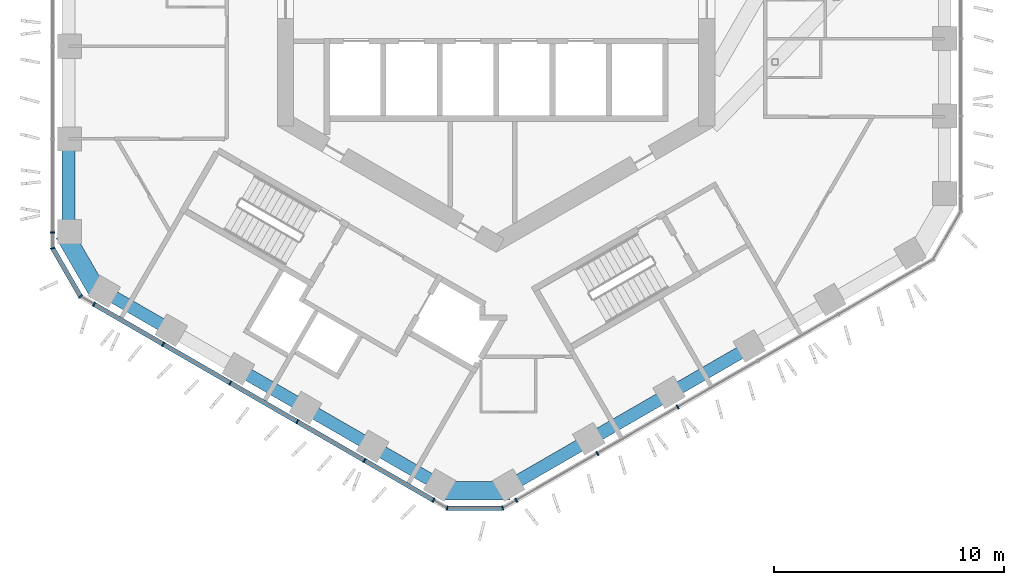
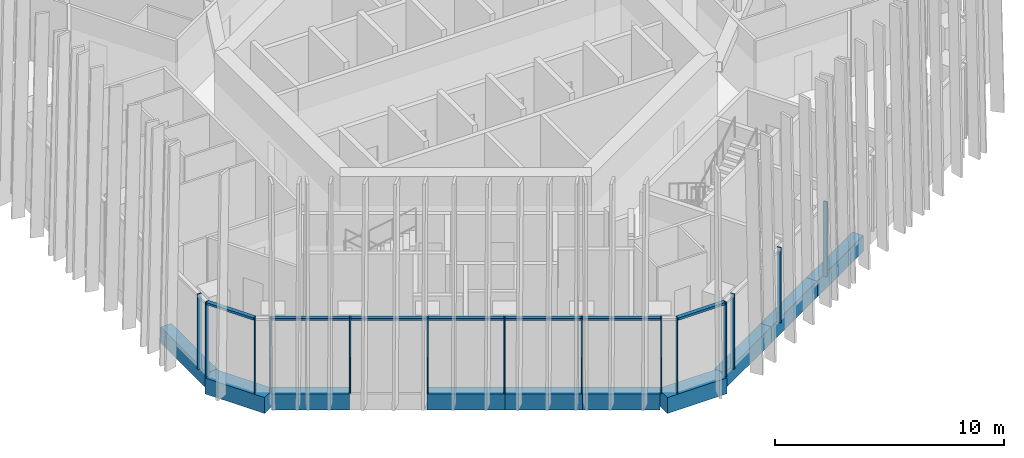
# One storey, part 2 of 31: 17 members, 10 beams, 5 elements without a shape of their own.
"""IFC4 building model written with IfcOpenShell, lengths in metres."""

from ifc_helpers import new_model, si_unit, direction, frame, origin, origin_2d, place, context, subcontext, project, spatial, rectangle, extrude, material, layer, layer_set, material_profile, profile_set, type_object, element, aggregate, save


model = new_model("IFC4")

# Units and contexts
model_context = context("Model", 3, precision=1e-05, world=origin(), true_north=direction((0.0, 1.0)))
body_context = subcontext(model_context, "Body", "Model", "MODEL_VIEW")
ifc_project = project(units=[si_unit("LENGTHUNIT", "METRE"), si_unit("AREAUNIT", "SQUARE_METRE"), si_unit("VOLUMEUNIT", "CUBIC_METRE"), si_unit("PLANEANGLEUNIT", "RADIAN"), si_unit("MASSUNIT", "GRAM", prefix="KILO")], contexts=[model_context])

# Site, building, storey
site_placement = place(None, origin())
site = spatial("IfcSite", under=ifc_project, at=site_placement, CompositionType="ELEMENT")
building_placement = place(site_placement, origin())
building = spatial("IfcBuilding", under=site, at=building_placement, Name="Ayvan Gate Tower", CompositionType="ELEMENT")
storey_placement = place(building_placement, frame((0.0, 0.0, 135.89990234375)))
storey = spatial("IfcBuildingStorey", under=building, at=storey_placement, Name="L36", CompositionType="ELEMENT", Elevation=135.89990234375)

# Beams
ifc_material_1 = material(Name="Concrete C40/50", Category="concrete")
ifc_material_profile_1 = material_profile(ifc_material_1, rectangle(XDim=0.800048828125, YDim=0.85009765625, at=origin_2d()), Name="RC 800x850")
ifc_profile_set_1 = profile_set([ifc_material_profile_1], Name="Concrete C40/50")
beam_type_1 = type_object("IfcBeamType", Name="Corner spandrel beam RC 800x850 C40/50", PredefinedType="BEAM", material=ifc_profile_set_1)
beam_1_placement = place(storey_placement, frame((-18.768798828125, -10.15185546875, -0.824951171875), z_axis=(0.50002537861, -0.866010750942, 0.0), x_axis=(0.866010750942, 0.50002537861, 0.0)))
element("IfcBeam", 1, at=beam_1_placement, inside=storey, type_object=beam_type_1, Name="SB-L36-24", PredefinedType="BEAM", context=body_context, shape_type="SweptSolid", body=[
    extrude(rectangle(XDim=0.800048828125, YDim=0.85009765625, at=origin_2d()), origin(), (0.0, 0.0, 1.0), 2.999755859375),
])
beam_2_placement = place(storey_placement, frame((-2.4072265625, -21.330078125, -0.824951171875), z_axis=(1.0, 0.0, 0.0), x_axis=(0.0, 1.0, 0.0)))
element("IfcBeam", 2, at=beam_2_placement, inside=storey, type_object=beam_type_1, Name="SB-L36-30", PredefinedType="BEAM", context=body_context, shape_type="SweptSolid", body=[
    extrude(rectangle(XDim=0.800048828125, YDim=0.85009765625, at=origin_2d()), origin(), (0.0, 0.0, 1.0), 3.0),
])
ifc_material_profile_2 = material_profile(ifc_material_1, rectangle(XDim=0.550048828125, YDim=0.85009765625, at=origin_2d()), Name="RC 550x850")
ifc_profile_set_2 = profile_set([ifc_material_profile_2], Name="Concrete C40/50")
beam_type_2 = type_object("IfcBeamType", Name="Spandrel beam RC 550x850 C40/50", PredefinedType="BEAM", material=ifc_profile_set_2)
beam_3_placement = place(storey_placement, frame((-18.578369140625, -6.025146484375, -0.824951171875), z_axis=(0.0, -1.0, 0.0), x_axis=(1.0, 0.0, 0.0)))
element("IfcBeam", 3, at=beam_3_placement, inside=storey, type_object=beam_type_2, Name="SB-L36-23", PredefinedType="BEAM", context=body_context, shape_type="SweptSolid", body=[
    extrude(rectangle(XDim=0.550048828125, YDim=0.85009765625, at=origin_2d()), origin(), (0.0, 0.0, 1.0), 4.0166015625),
])
for number, where, z_axis, x_axis, name in (
    (4, (-17.078369140625, -12.639892578125, -0.824951171875), (0.866030797895, -0.499990657009, 0.0), (0.499990657009, 0.866030797895, 0.0), "SB-L36-25"),
    (5, (-11.2099609375, -16.028076171875, -0.824951171875), (0.866061997738, -0.499936612056, 0.0), (0.499936612056, 0.866061997738, 0.0), "SB-L36-27"),
):
    element("IfcBeam", number, at=place(storey_placement, frame(where, z_axis=z_axis, x_axis=x_axis)), inside=storey, type_object=beam_type_2, Name=name, PredefinedType="BEAM", context=body_context, shape_type="SweptSolid", body=[
        extrude(rectangle(XDim=0.550048828125, YDim=0.85009765625, at=origin_2d()), origin(), (0.0, 0.0, 1.0), 3.38818359375),
    ])
beam_4_placement = place(storey_placement, frame((-8.275634765625, -17.721923828125, -0.824951171875), z_axis=(0.866012783096, -0.500021859037, 0.0), x_axis=(0.500021859037, 0.866012783096, 0.0)))
element("IfcBeam", 6, at=beam_4_placement, inside=storey, type_object=beam_type_2, Name="SB-L36-28", PredefinedType="BEAM", context=body_context, shape_type="SweptSolid", body=[
    extrude(rectangle(XDim=0.550048828125, YDim=0.85009765625, at=origin_2d()), origin(), (0.0, 0.0, 1.0), 3.387939453125),
])
beam_5_placement = place(storey_placement, frame((-5.341552734375, -19.416015625, -0.824951171875), z_axis=(0.866030797895, -0.499990657009, 0.0), x_axis=(0.499990657009, 0.866030797895, 0.0)))
element("IfcBeam", 7, at=beam_5_placement, inside=storey, type_object=beam_type_2, Name="SB-L36-29", PredefinedType="BEAM", context=body_context, shape_type="SweptSolid", body=[
    extrude(rectangle(XDim=0.550048828125, YDim=0.85009765625, at=origin_2d()), origin(), (0.0, 0.0, 1.0), 3.38818359375),
])
for number, where, z_axis, x_axis, name in (
    (8, (0.5927734375, -21.110107421875, -0.824951171875), (0.866027683981, 0.499996050563, 0.0), (-0.499996050563, 0.866027683981, 0.0), "SB-L36-31"),
    (9, (4.0712890625, -19.101806640625, -0.824951171875), (0.866027683981, 0.499996050563, 0.0), (-0.499996050563, 0.866027683981, 0.0), "SB-L36-32"),
):
    element("IfcBeam", number, at=place(storey_placement, frame(where, z_axis=z_axis, x_axis=x_axis)), inside=storey, type_object=beam_type_2, Name=name, PredefinedType="BEAM", context=body_context, shape_type="SweptSolid", body=[
        extrude(rectangle(XDim=0.550048828125, YDim=0.85009765625, at=origin_2d()), origin(), (0.0, 0.0, 1.0), 4.0166015625),
    ])
beam_6_placement = place(storey_placement, frame((7.5498046875, -17.093505859375, -0.824951171875), z_axis=(0.866042878142, 0.499969732304, 0.0), x_axis=(-0.499969732304, 0.866042878142, 0.0)))
element("IfcBeam", 10, at=beam_6_placement, inside=storey, type_object=beam_type_2, Name="SB-L36-33", PredefinedType="BEAM", context=body_context, shape_type="SweptSolid", body=[
    extrude(rectangle(XDim=0.550048828125, YDim=0.85009765625, at=origin_2d()), origin(), (0.0, 0.0, 1.0), 4.016845703125),
])

# Curtain wall, member
ifc_material_2 = material(Name="Bronze anodised aluminium", Category="aluminium")
ifc_layer_1 = layer(ifc_material_2, 0.199951171875)
ifc_layer_set_1 = layer_set([ifc_layer_1], Name="Bronze anodised aluminium")
curtain_wall_type_1 = type_object("IfcCurtainWallType", Name="Stick curtain wall CW-1", PredefinedType="NOTDEFINED", material=ifc_layer_set_1)
curtain_wall_1_placement = place(storey_placement, origin())
curtain_wall_1 = element("IfcCurtainWall", 11, at=curtain_wall_1_placement, inside=storey, type_object=curtain_wall_type_1, Name="Stick curtain wall CW-1 L36", PredefinedType="NOTDEFINED")
ifc_material_profile_3 = material_profile(ifc_material_2, rectangle(XDim=0.199951171875, YDim=0.06005859375, at=origin_2d()), Name="Stick curtain wall CW-1 mullion 200 x 60")
ifc_profile_set_3 = profile_set([ifc_material_profile_3], Name="Bronze anodised aluminium")
member_type_1 = type_object("IfcMemberType", Name="Stick curtain wall CW-1 mullion 200 x 60", PredefinedType="MULLION", material=ifc_profile_set_3)
member_1_placement = place(storey_placement, frame((-19.263916015625, -10.1123046875, 0.0), z_axis=(0.0, 0.0, 1.0), x_axis=(-1.0, 0.0, 0.0)))
member_1 = element("IfcMember", 12, at=member_1_placement, type_object=member_type_1, Name="CW-1 mullion 6", PredefinedType="MULLION", context=body_context, shape_type="SweptSolid", body=[
    extrude(rectangle(XDim=0.199951171875, YDim=0.06005859375, at=origin_2d()), origin(), (0.0, 0.0, 1.0), 4.0),
])
aggregate(curtain_wall_1, [member_1])

# Curtain wall, members
curtain_wall_2_placement = place(storey_placement, origin())
curtain_wall_2 = element("IfcCurtainWall", 13, at=curtain_wall_2_placement, inside=storey, type_object=curtain_wall_type_1, Name="Stick curtain wall CW-1 L36", PredefinedType="NOTDEFINED")
member_2_placement = place(storey_placement, frame((-17.4677734375, -13.223388671875, 0.0), z_axis=(0.0, 0.0, 1.0), x_axis=(-0.5, -0.866025403784, 0.0)))
member_2 = element("IfcMember", 14, at=member_2_placement, type_object=member_type_1, Name="CW-1 mullion 1", PredefinedType="MULLION", context=body_context, shape_type="SweptSolid", body=[
    extrude(rectangle(XDim=0.199951171875, YDim=0.06005859375, at=origin_2d()), origin(), (0.0, 0.0, 1.0), 4.0),
])
member_3_placement = place(storey_placement, frame((-14.46435546875, -14.957275390625, 0.0), z_axis=(0.0, 0.0, 1.0), x_axis=(-0.5, -0.866025403784, 0.0)))
member_3 = element("IfcMember", 15, at=member_3_placement, type_object=member_type_1, Name="CW-1 mullion 2", PredefinedType="MULLION", context=body_context, shape_type="SweptSolid", body=[
    extrude(rectangle(XDim=0.199951171875, YDim=0.06005859375, at=origin_2d()), origin(), (0.0, 0.0, 1.0), 4.0),
])
member_4_placement = place(storey_placement, frame((-11.55029296875, -16.6396484375, 0.0), z_axis=(0.0, 0.0, 1.0), x_axis=(-0.5, -0.866025403784, 0.0)))
member_4 = element("IfcMember", 16, at=member_4_placement, type_object=member_type_1, Name="CW-1 mullion 3", PredefinedType="MULLION", context=body_context, shape_type="SweptSolid", body=[
    extrude(rectangle(XDim=0.199951171875, YDim=0.06005859375, at=origin_2d()), origin(), (0.0, 0.0, 1.0), 4.0),
])
member_5_placement = place(storey_placement, frame((-8.63525390625, -18.32275390625, 0.0), z_axis=(0.0, 0.0, 1.0), x_axis=(-0.5, -0.866025403784, 0.0)))
member_5 = element("IfcMember", 17, at=member_5_placement, type_object=member_type_1, Name="CW-1 mullion 4", PredefinedType="MULLION", context=body_context, shape_type="SweptSolid", body=[
    extrude(rectangle(XDim=0.199951171875, YDim=0.06005859375, at=origin_2d()), origin(), (0.0, 0.0, 1.0), 4.0),
])
member_6_placement = place(storey_placement, frame((-5.720947265625, -20.00537109375, 0.0), z_axis=(0.0, 0.0, 1.0), x_axis=(-0.5, -0.866025403784, 0.0)))
member_6 = element("IfcMember", 18, at=member_6_placement, type_object=member_type_1, Name="CW-1 mullion 5", PredefinedType="MULLION", context=body_context, shape_type="SweptSolid", body=[
    extrude(rectangle(XDim=0.199951171875, YDim=0.06005859375, at=origin_2d()), origin(), (0.0, 0.0, 1.0), 4.0),
])
member_7_placement = place(storey_placement, frame((-2.7177734375, -21.7392578125, 0.0), z_axis=(0.0, 0.0, 1.0), x_axis=(-0.5, -0.866025403784, 0.0)))
member_7 = element("IfcMember", 19, at=member_7_placement, type_object=member_type_1, Name="CW-1 mullion 6", PredefinedType="MULLION", context=body_context, shape_type="SweptSolid", body=[
    extrude(rectangle(XDim=0.199951171875, YDim=0.06005859375, at=origin_2d()), origin(), (0.0, 0.0, 1.0), 4.0),
])

curtain_wall_3_placement = place(storey_placement, origin())
curtain_wall_3 = element("IfcCurtainWall", 20, at=curtain_wall_3_placement, inside=storey, type_object=curtain_wall_type_1, Name="Stick curtain wall CW-1 L36", PredefinedType="NOTDEFINED")
member_8_placement = place(storey_placement, frame((0.87451171875, -21.7392578125, 0.0), z_axis=(0.0, 0.0, 1.0), x_axis=(0.5, -0.866025403784, 0.0)))
member_8 = element("IfcMember", 21, at=member_8_placement, type_object=member_type_1, Name="CW-1 mullion 1", PredefinedType="MULLION", context=body_context, shape_type="SweptSolid", body=[
    extrude(rectangle(XDim=0.199951171875, YDim=0.06005859375, at=origin_2d()), origin(), (0.0, 0.0, 1.0), 4.0),
])
member_9_placement = place(storey_placement, frame((4.399169921875, -19.7041015625, 0.0), z_axis=(0.0, 0.0, 1.0), x_axis=(0.5, -0.866025403784, 0.0)))
member_9 = element("IfcMember", 22, at=member_9_placement, type_object=member_type_1, Name="CW-1 mullion 2", PredefinedType="MULLION", context=body_context, shape_type="SweptSolid", body=[
    extrude(rectangle(XDim=0.199951171875, YDim=0.06005859375, at=origin_2d()), origin(), (0.0, 0.0, 1.0), 4.0),
])
member_10_placement = place(storey_placement, frame((7.8876953125, -17.690185546875, 0.0), z_axis=(0.0, 0.0, 1.0), x_axis=(0.5, -0.866025403784, 0.0)))
member_10 = element("IfcMember", 23, at=member_10_placement, type_object=member_type_1, Name="CW-1 mullion 3", PredefinedType="MULLION", context=body_context, shape_type="SweptSolid", body=[
    extrude(rectangle(XDim=0.199951171875, YDim=0.06005859375, at=origin_2d()), origin(), (0.0, 0.0, 1.0), 4.0),
])
aggregate(curtain_wall_3, [member_8, member_9, member_10])

# Member
ifc_material_profile_4 = material_profile(ifc_material_2, rectangle(XDim=0.199951171875, YDim=0.1201171875, at=origin_2d()), Name="Stick curtain wall CW-1 transom 200 x 120")
ifc_profile_set_4 = profile_set([ifc_material_profile_4], Name="Bronze anodised aluminium")
member_type_2 = type_object("IfcMemberType", Name="Stick curtain wall CW-1 transom 200 x 120", PredefinedType="USERDEFINED", material=ifc_profile_set_4)
member_11_placement = place(storey_placement, frame((-17.4677734375, -13.223388671875, 3.940185546875), z_axis=(0.866026607087, -0.499997915814, 0.0), x_axis=(0.499997915814, 0.866026607087, 0.0)))
member_11 = element("IfcMember", 24, at=member_11_placement, type_object=member_type_2, Name="CW-1 transom 1", ObjectType="TRANSOM", PredefinedType="USERDEFINED", context=body_context, shape_type="SweptSolid", body=[
    extrude(rectangle(XDim=0.199951171875, YDim=0.1201171875, at=origin_2d()), origin(), (0.0, 0.0, 1.0), 17.03173828125),
])

aggregate(curtain_wall_2, [member_2, member_3, member_4, member_5, member_6, member_7, member_11])

# Curtain wall, members
ifc_layer_2 = layer(ifc_material_2, 0.199951171875)
ifc_layer_set_2 = layer_set([ifc_layer_2], Name="Bronze anodised aluminium")
curtain_wall_type_2 = type_object("IfcCurtainWallType", Name="Stick curtain wall CW-6", PredefinedType="NOTDEFINED", material=ifc_layer_set_2)
curtain_wall_4_placement = place(storey_placement, origin())
curtain_wall_4 = element("IfcCurtainWall", 25, at=curtain_wall_4_placement, inside=storey, type_object=curtain_wall_type_2, Name="Stick curtain wall CW-6 L36", PredefinedType="NOTDEFINED")
ifc_material_profile_5 = material_profile(ifc_material_2, rectangle(XDim=0.199951171875, YDim=0.050048828125, at=origin_2d()), Name="Stick curtain wall CW-6 mullion 200 x 50")
ifc_profile_set_5 = profile_set([ifc_material_profile_5], Name="Bronze anodised aluminium")
member_type_3 = type_object("IfcMemberType", Name="Stick curtain wall CW-6 mullion 200 x 50", PredefinedType="MULLION", material=ifc_profile_set_5)
member_12_placement = place(storey_placement, frame((-19.263916015625, -10.792236328125, 0.0), z_axis=(0.0, 0.0, 1.0), x_axis=(-0.965925826289, -0.258819045103, 0.0)))
member_12 = element("IfcMember", 26, at=member_12_placement, type_object=member_type_3, Name="CW-6 mullion 2", PredefinedType="MULLION", context=body_context, shape_type="SweptSolid", body=[
    extrude(rectangle(XDim=0.199951171875, YDim=0.050048828125, at=origin_2d()), origin(), (0.0, 0.0, 1.0), 4.0),
])
member_13_placement = place(storey_placement, frame((-18.056640625, -12.88330078125, 0.0), z_axis=(0.0, 0.0, 1.0), x_axis=(-0.707106781187, -0.707106781187, 0.0)))
member_13 = element("IfcMember", 27, at=member_13_placement, type_object=member_type_3, Name="CW-6 mullion 3", PredefinedType="MULLION", context=body_context, shape_type="SweptSolid", body=[
    extrude(rectangle(XDim=0.199951171875, YDim=0.050048828125, at=origin_2d()), origin(), (0.0, 0.0, 1.0), 4.0),
])

curtain_wall_5_placement = place(storey_placement, origin())
curtain_wall_5 = element("IfcCurtainWall", 28, at=curtain_wall_5_placement, inside=storey, type_object=curtain_wall_type_2, Name="Stick curtain wall CW-6 L36", PredefinedType="NOTDEFINED")
member_14_placement = place(storey_placement, frame((-2.12890625, -22.0791015625, 0.0), z_axis=(0.0, 0.0, 1.0), x_axis=(-0.258819045103, -0.965925826289, 0.0)))
member_14 = element("IfcMember", 29, at=member_14_placement, type_object=member_type_3, Name="CW-6 mullion 2", PredefinedType="MULLION", context=body_context, shape_type="SweptSolid", body=[
    extrude(rectangle(XDim=0.199951171875, YDim=0.050048828125, at=origin_2d()), origin(), (0.0, 0.0, 1.0), 4.0),
])
member_15_placement = place(storey_placement, frame((0.28564453125, -22.0791015625, 0.0), z_axis=(0.0, 0.0, 1.0), x_axis=(0.258819045103, -0.965925826289, 0.0)))
member_15 = element("IfcMember", 30, at=member_15_placement, type_object=member_type_3, Name="CW-6 mullion 3", PredefinedType="MULLION", context=body_context, shape_type="SweptSolid", body=[
    extrude(rectangle(XDim=0.199951171875, YDim=0.050048828125, at=origin_2d()), origin(), (0.0, 0.0, 1.0), 4.0),
])

# Member
ifc_material_profile_6 = material_profile(ifc_material_2, rectangle(XDim=0.199951171875, YDim=0.1201171875, at=origin_2d()), Name="Stick curtain wall CW-6 transom 200 x 120")
ifc_profile_set_6 = profile_set([ifc_material_profile_6], Name="Bronze anodised aluminium")
member_type_4 = type_object("IfcMemberType", Name="Stick curtain wall CW-6 transom 200 x 120", PredefinedType="USERDEFINED", material=ifc_profile_set_6)
member_16_placement = place(storey_placement, frame((-19.25146484375, -10.81396484375, 3.940185546875), z_axis=(0.500059108572, -0.865991274745, 0.0), x_axis=(0.865991274745, 0.500059108572, 0.0)))
member_16 = element("IfcMember", 31, at=member_16_placement, type_object=member_type_4, Name="CW-6 transom 2", ObjectType="TRANSOM", PredefinedType="USERDEFINED", context=body_context, shape_type="SweptSolid", body=[
    extrude(rectangle(XDim=0.199951171875, YDim=0.1201171875, at=origin_2d()), origin(), (0.0, 0.0, 1.0), 2.364501953125),
])

aggregate(curtain_wall_4, [member_12, member_13, member_16])

member_17_placement = place(storey_placement, frame((-2.10400390625, -22.0791015625, 3.940185546875), z_axis=(1.0, 0.0, 0.0), x_axis=(0.0, 1.0, 0.0)))
member_17 = element("IfcMember", 32, at=member_17_placement, type_object=member_type_4, Name="CW-6 transom 2", ObjectType="TRANSOM", PredefinedType="USERDEFINED", context=body_context, shape_type="SweptSolid", body=[
    extrude(rectangle(XDim=0.199951171875, YDim=0.1201171875, at=origin_2d()), origin(), (0.0, 0.0, 1.0), 2.36474609375),
])

aggregate(curtain_wall_5, [member_14, member_15, member_17])

save(model, "model.ifc")
